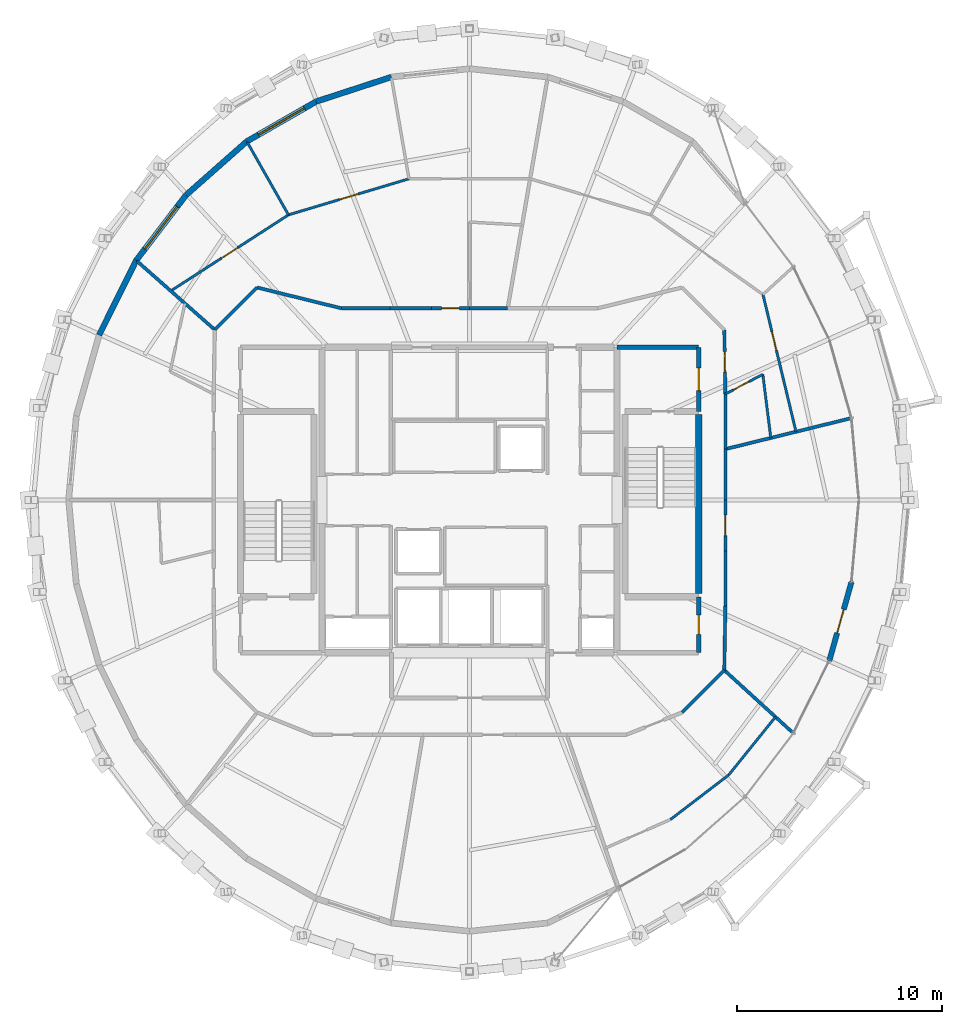
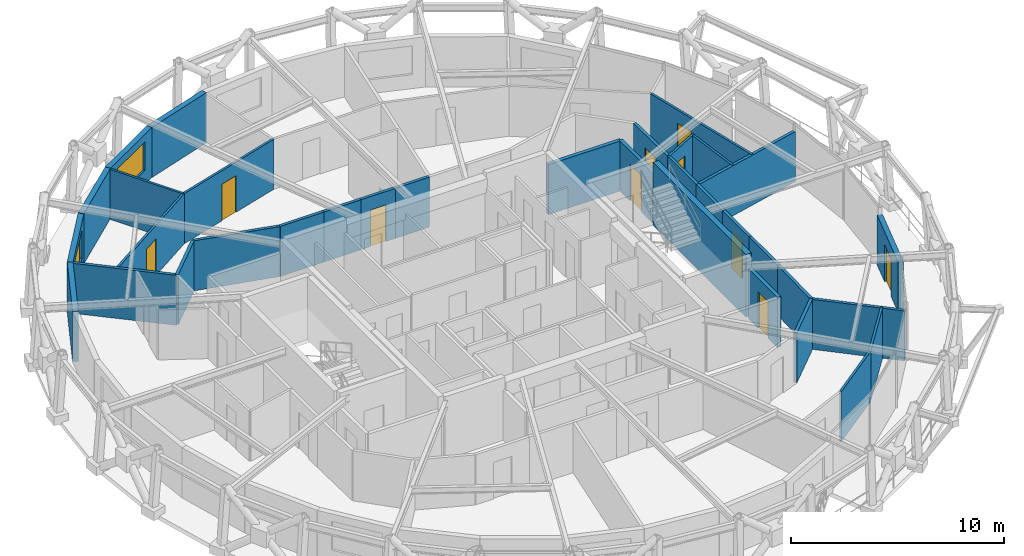
# One storey, part 13 of 15: 34 walls, 10 doors, 2 windows, 12 openings.
"""IFC4 building model written with IfcOpenShell, lengths in metres."""

from ifc_helpers import new_model, si_unit, direction, frame, frame_2d, origin, place, context, subcontext, project, spatial, rectangle, extrude, material, layer, layer_set, type_object, element, fill, save


model = new_model("IFC4")

# Units and contexts
model_context = context("Model", 3, precision=1e-05, world=origin(), true_north=direction((0.0, 1.0)))
body_context = subcontext(model_context, "Body", "Model", "MODEL_VIEW")
ifc_project = project(units=[si_unit("LENGTHUNIT", "METRE"), si_unit("AREAUNIT", "SQUARE_METRE"), si_unit("VOLUMEUNIT", "CUBIC_METRE"), si_unit("PLANEANGLEUNIT", "RADIAN"), si_unit("MASSUNIT", "GRAM", prefix="KILO")], contexts=[model_context])

# Site, building, storey
site_placement = place(None, origin())
site = spatial("IfcSite", under=ifc_project, at=site_placement, CompositionType="ELEMENT")
building_placement = place(site_placement, origin())
building = spatial("IfcBuilding", under=site, at=building_placement, Name="Veldorina Hangang Commons", CompositionType="ELEMENT")
storey_placement = place(building_placement, frame((0.0, 0.0, 268.800048828125)))
storey = spatial("IfcBuildingStorey", under=building, at=storey_placement, Name="L70", CompositionType="ELEMENT", Elevation=268.800048828125)

# Wall, opening, door
ifc_material_1 = material(Name="Stone Roman Travertine", Category="masonry")
ifc_layer_1 = layer(ifc_material_1, 0.260009765625)
ifc_layer_set_1 = layer_set([ifc_layer_1], Name="Stone Roman Travertine")
wall_type_1 = type_object("IfcWallType", Name="EW-LOGGIA-260", PredefinedType="STANDARD", material=ifc_layer_set_1)
wall_1_placement = place(storey_placement, frame((49.55078125, 16.163818359375, 0.0), z_axis=(0.0, 0.0, 1.0), x_axis=(0.270905028763, 0.962606080072, 0.0)))
wall_1 = element("IfcWall", 1, at=wall_1_placement, inside=storey, type_object=wall_type_1, Name="L70 sky-garden loggia portal wall 30", PredefinedType="STANDARD", context=body_context, shape_type="SweptSolid", body=[
    extrude(rectangle(XDim=3.990478515625, YDim=0.260009765625, at=frame_2d((1.9951171875, 0.0))), origin(), (0.0, 0.0, 1.0), 2.8798828125),
])
opening_1_placement = place(wall_1_placement, frame((1.395263671875, 0.0, 0.0)))
opening_1 = element("IfcOpeningElement", 2, at=opening_1_placement, cuts=wall_1, Name="Opening BD-1200", PredefinedType="OPENING", context=body_context, shape_type="SweptSolid", body=[
    extrude(rectangle(XDim=1.199951171875, YDim=2.14990234375, at=frame_2d((0.60009765625, 1.074951171875))), frame((0.0, 0.14013671875, 0.0), z_axis=(0.0, -1.0, 0.0), x_axis=(1.0, 0.0, 0.0)), (0.0, 0.0, 1.0), 0.280029296875),
])
ifc_material_2 = material(Name="Glass Thermal Aluminium Frame", Category="aluminium")
door_type_1 = type_object("IfcDoorType", Name="DR-EXT-LOG1200", OperationType="SINGLE_SWING_LEFT", PredefinedType="DOOR", material=ifc_material_2)
door_1_placement = place(opening_1_placement, origin())
door_1 = element("IfcDoor", 3, at=door_1_placement, inside=storey, type_object=door_type_1, Name="L70 loggia glazed exterior door 30", OperationType="SINGLE_SWING_LEFT", OverallHeight=2.14990234375, OverallWidth=1.199951171875, PredefinedType="DOOR", context=body_context, shape_type="SweptSolid", body=[
    extrude(rectangle(XDim=1.199951171875, YDim=2.14990234375, at=frame_2d((0.60009765625, 1.074951171875))), frame((0.0, 0.02490234375, 0.0), z_axis=(0.0, -1.0, 0.0), x_axis=(1.0, 0.0, 0.0)), (0.0, 0.0, 1.0), 0.050048828125),
])
fill(opening_1, door_1)

# Wall
ifc_layer_2 = layer(ifc_material_1, 0.280029296875)
ifc_layer_set_2 = layer_set([ifc_layer_2], Name="Stone Roman Travertine")
wall_type_2 = type_object("IfcWallType", Name="EW-TRAV-280", PredefinedType="STANDARD", material=ifc_layer_set_2)
wall_2_placement = place(storey_placement, frame((28.184814453125, 44.6328125, 0.0), z_axis=(0.0, 0.0, 1.0), x_axis=(-0.950681997555, -0.310167276684, 0.0)))
element("IfcWall", 4, at=wall_2_placement, inside=storey, type_object=wall_type_2, Name="L70 travertine facade wall 09", PredefinedType="STANDARD", context=body_context, shape_type="SweptSolid", body=[
    extrude(rectangle(XDim=3.859375, YDim=0.280029296875, at=frame_2d((1.9296875, 0.0))), origin(), (0.0, 0.0, 1.0), 2.8798828125),
])

# Wall, opening, window
wall_3_placement = place(storey_placement, frame((24.515869140625, 43.435791015625, 0.0), z_axis=(0.0, 0.0, 1.0), x_axis=(-0.866911036779, -0.498462891608, 0.0)))
wall_3 = element("IfcWall", 5, at=wall_3_placement, inside=storey, type_object=wall_type_2, Name="L70 travertine facade wall 10", PredefinedType="STANDARD", context=body_context, shape_type="SweptSolid", body=[
    extrude(rectangle(XDim=3.900146484375, YDim=0.280029296875, at=frame_2d((1.9501953125, 0.0))), origin(), (0.0, 0.0, 1.0), 2.8798828125),
])
opening_2_placement = place(wall_3_placement, frame((0.650146484375, 0.0, 0.800048828125)))
opening_2 = element("IfcOpeningElement", 6, at=opening_2_placement, cuts=wall_3, Name="Opening W-02", PredefinedType="OPENING", context=body_context, shape_type="SweptSolid", body=[
    extrude(rectangle(XDim=2.60009765625, YDim=1.64990234375, at=frame_2d((1.300048828125, 0.824951171875))), frame((0.0, 0.14990234375, 0.0), z_axis=(0.0, -1.0, 0.0), x_axis=(1.0, 0.0, 0.0)), (0.0, 0.0, 1.0), 0.300048828125),
])
ifc_material_3 = material(Name="Glass Low-E Triple IGU", Category="glass")
window_type = type_object("IfcWindowType", Name="WIN-TWR-2600", PartitioningType="SINGLE_PANEL", PredefinedType="WINDOW", material=ifc_material_3)
window_1_placement = place(opening_2_placement, origin())
window_1 = element("IfcWindow", 7, at=window_1_placement, inside=storey, type_object=window_type, Name="L70 facade window 10", OverallHeight=1.64990234375, OverallWidth=2.60009765625, PartitioningType="SINGLE_PANEL", PredefinedType="WINDOW", context=body_context, shape_type="SweptSolid", body=[
    extrude(rectangle(XDim=2.60009765625, YDim=1.64990234375, at=frame_2d((1.300048828125, 0.824951171875))), frame((0.0, 0.030029296875, 0.0), z_axis=(0.0, -1.0, 0.0), x_axis=(1.0, 0.0, 0.0)), (0.0, 0.0, 1.0), 0.06005859375),
])
fill(opening_2, window_1)

# Wall
wall_4_placement = place(storey_placement, frame((21.134765625, 41.49169921875, 0.0), z_axis=(0.0, 0.0, 1.0), x_axis=(-0.749653985562, -0.661829964515, 0.0)))
element("IfcWall", 8, at=wall_4_placement, inside=storey, type_object=wall_type_2, Name="L70 travertine facade wall 11", PredefinedType="STANDARD", context=body_context, shape_type="SweptSolid", body=[
    extrude(rectangle(XDim=3.952880859375, YDim=0.280029296875, at=frame_2d((1.9765625, 0.0))), origin(), (0.0, 0.0, 1.0), 2.8798828125),
])

# Wall, opening, window
wall_5_placement = place(storey_placement, frame((18.17138671875, 38.87548828125, 0.0), z_axis=(0.0, 0.0, 1.0), x_axis=(-0.606584214855, -0.795019238942, 0.0)))
wall_5 = element("IfcWall", 9, at=wall_5_placement, inside=storey, type_object=wall_type_2, Name="L70 travertine facade wall 12", PredefinedType="STANDARD", context=body_context, shape_type="SweptSolid", body=[
    extrude(rectangle(XDim=4.010009765625, YDim=0.280029296875, at=frame_2d((2.0048828125, 0.0))), origin(), (0.0, 0.0, 1.0), 2.8798828125),
])
opening_3_placement = place(wall_5_placement, frame((0.704833984375, 0.0, 0.800048828125)))
opening_3 = element("IfcOpeningElement", 10, at=opening_3_placement, cuts=wall_5, Name="Opening W-02", PredefinedType="OPENING", context=body_context, shape_type="SweptSolid", body=[
    extrude(rectangle(XDim=2.60009765625, YDim=1.64990234375, at=frame_2d((1.300048828125, 0.824951171875))), frame((0.0, 0.14990234375, 0.0), z_axis=(0.0, -1.0, 0.0), x_axis=(1.0, 0.0, 0.0)), (0.0, 0.0, 1.0), 0.300048828125),
])
window_2_placement = place(opening_3_placement, origin())
window_2 = element("IfcWindow", 11, at=window_2_placement, inside=storey, type_object=window_type, Name="L70 facade window 12", OverallHeight=1.64990234375, OverallWidth=2.60009765625, PartitioningType="SINGLE_PANEL", PredefinedType="WINDOW", context=body_context, shape_type="SweptSolid", body=[
    extrude(rectangle(XDim=2.60009765625, YDim=1.64990234375, at=frame_2d((1.300048828125, 0.824951171875))), frame((0.0, 0.030029296875, 0.0), z_axis=(0.0, -1.0, 0.0), x_axis=(1.0, 0.0, 0.0)), (0.0, 0.0, 1.0), 0.06005859375),
])
fill(opening_3, window_2)

# Walls
wall_6_placement = place(storey_placement, frame((15.739013671875, 35.6875, 0.0), z_axis=(0.0, 0.0, 1.0), x_axis=(-0.444975896213, -0.895542546052, 0.0)))
element("IfcWall", 12, at=wall_6_placement, inside=storey, type_object=wall_type_2, Name="L70 travertine facade wall 13", PredefinedType="STANDARD", context=body_context, shape_type="SweptSolid", body=[
    extrude(rectangle(XDim=4.061279296875, YDim=0.280029296875, at=frame_2d((2.03076171875, 0.0))), origin(), (0.0, 0.0, 1.0), 2.8798828125),
])
ifc_material_4 = material(Name="Concrete C50/60", Category="concrete")
ifc_layer_3 = layer(ifc_material_4, 0.300048828125)
ifc_layer_set_3 = layer_set([ifc_layer_3], Name="Concrete C50/60")
wall_type_3 = type_object("IfcWallType", Name="SW-STAIR-300", PredefinedType="SHEAR", material=ifc_layer_set_3)
wall_7_placement = place(storey_placement, frame((43.179931640625, 19.429931640625, 0.0), z_axis=(0.0, 0.0, 1.0), x_axis=(0.0, 1.0, 0.0)))
element("IfcWall", 13, at=wall_7_placement, inside=storey, type_object=wall_type_3, Name="L70 ST2 outer stair shear wall", PredefinedType="SHEAR", context=body_context, shape_type="SweptSolid", body=[
    extrude(rectangle(XDim=8.739990234375, YDim=0.300048828125, at=frame_2d((4.3701171875, 0.0))), origin(), (0.0, 0.0, 1.0), 3.599853515625),
])
ifc_material_5 = material(Name="Gypsum Fire-Rated Twin Stud Wall", Category="gypsum")
ifc_layer_4 = layer(ifc_material_5, 0.159912109375)
ifc_layer_set_4 = layer_set([ifc_layer_4], Name="Gypsum Fire-Rated Twin Stud Wall")
wall_type_4 = type_object("IfcWallType", Name="WL-FIRE-160", PredefinedType="SOLIDWALL", material=ifc_layer_set_4)
wall_8_placement = place(storey_placement, frame((44.47998046875, 24.0, 0.0), z_axis=(0.0, 0.0, 1.0), x_axis=(0.0, 1.0, 0.0)))
element("IfcWall", 14, at=wall_8_placement, inside=storey, type_object=wall_type_4, Name="L70 Compact collar outer wall 00 056", PredefinedType="SOLIDWALL", context=body_context, shape_type="SweptSolid", body=[
    extrude(rectangle(XDim=2.482421875, YDim=0.159912109375, at=frame_2d((1.2412109375, 0.0))), origin(), (0.0, 0.0, 1.0), 2.869873046875),
])
wall_9_placement = place(storey_placement, frame((44.47998046875, 26.482421875, 0.0), z_axis=(0.0, 0.0, 1.0), x_axis=(0.0, 1.0, 0.0)))
element("IfcWall", 15, at=wall_9_placement, inside=storey, type_object=wall_type_4, Name="L70 Compact collar outer wall 01 057", PredefinedType="SOLIDWALL", context=body_context, shape_type="SweptSolid", body=[
    extrude(rectangle(XDim=2.68701171875, YDim=0.159912109375, at=frame_2d((1.343505859375, 0.0))), origin(), (0.0, 0.0, 1.0), 2.869873046875),
])

# Wall, opening, door
wall_10_placement = place(storey_placement, frame((44.47998046875, 29.16943359375, 0.0), z_axis=(0.0, 0.0, 1.0), x_axis=(-0.016981035134, 0.999855811828, 0.0)))
wall_10 = element("IfcWall", 16, at=wall_10_placement, inside=storey, type_object=wall_type_4, Name="L70 Compact collar outer wall 02 058", PredefinedType="SOLIDWALL", context=body_context, shape_type="SweptSolid", body=[
    extrude(rectangle(XDim=3.13427734375, YDim=0.159912109375, at=frame_2d((1.567138671875, 0.0))), origin(), (0.0, 0.0, 1.0), 2.869873046875),
])
opening_4_placement = place(wall_10_placement, frame((1.067138671875, 0.0, 0.0)))
opening_4 = element("IfcOpeningElement", 17, at=opening_4_placement, cuts=wall_10, Name="Opening D-06", PredefinedType="OPENING", context=body_context, shape_type="SweptSolid", body=[
    extrude(rectangle(XDim=1.0, YDim=2.10009765625, at=frame_2d((0.5, 1.050048828125))), frame((0.0, 0.08984375, 0.0), z_axis=(0.0, -1.0, 0.0), x_axis=(1.0, 0.0, 0.0)), (0.0, 0.0, 1.0), 0.179931640625),
])
ifc_material_6 = material(Name="Timber Fire-Rated Entrance Core", Category="wood")
door_type_2 = type_object("IfcDoorType", Name="DR-UNIT-1000", OperationType="SINGLE_SWING_LEFT", PredefinedType="DOOR", material=ifc_material_6)
door_2_placement = place(opening_4_placement, origin())
door_2 = element("IfcDoor", 18, at=door_2_placement, inside=storey, type_object=door_type_2, Name="L70 Cluster 2 entrance door 028", OperationType="SINGLE_SWING_RIGHT", OverallHeight=2.10009765625, OverallWidth=1.0, PredefinedType="DOOR", context=body_context, shape_type="SweptSolid", body=[
    extrude(rectangle(XDim=1.0, YDim=2.10009765625, at=frame_2d((0.5, 1.050048828125))), frame((0.0, 0.02490234375, 0.0), z_axis=(0.0, -1.0, 0.0), x_axis=(1.0, 0.0, 0.0)), (0.0, 0.0, 1.0), 0.050048828125),
])
fill(opening_4, door_2)

# Wall
wall_11_placement = place(storey_placement, frame((33.85986328125, 33.35009765625, 0.0), z_axis=(0.0, 0.0, 1.0), x_axis=(-1.0, 0.0, 0.0)))
element("IfcWall", 19, at=wall_11_placement, inside=storey, type_object=wall_type_4, Name="L70 Compact collar outer wall 07 063", PredefinedType="SOLIDWALL", context=body_context, shape_type="SweptSolid", body=[
    extrude(rectangle(XDim=1.85986328125, YDim=0.159912109375, at=frame_2d((0.929931640625, 0.0))), origin(), (0.0, 0.0, 1.0), 2.869873046875),
])

# Wall, opening, door
wall_12_placement = place(storey_placement, frame((32.0, 33.35009765625, 0.0), z_axis=(0.0, 0.0, 1.0), x_axis=(-1.0, 0.0, 0.0)))
wall_12 = element("IfcWall", 20, at=wall_12_placement, inside=storey, type_object=wall_type_4, Name="L70 Compact collar outer wall 08 064", PredefinedType="SOLIDWALL", context=body_context, shape_type="SweptSolid", body=[
    extrude(rectangle(XDim=1.85986328125, YDim=0.159912109375, at=frame_2d((0.929931640625, 0.0))), origin(), (0.0, 0.0, 1.0), 2.869873046875),
])
opening_5_placement = place(wall_12_placement, frame((0.5, 0.0, 0.0)))
opening_5 = element("IfcOpeningElement", 21, at=opening_5_placement, cuts=wall_12, Name="Opening D-01N", PredefinedType="OPENING", context=body_context, shape_type="SweptSolid", body=[
    extrude(rectangle(XDim=0.860107421875, YDim=2.10009765625, at=frame_2d((0.43017578125, 1.050048828125))), frame((0.0, 0.08984375, 0.0), z_axis=(0.0, -1.0, 0.0), x_axis=(1.0, 0.0, 0.0)), (0.0, 0.0, 1.0), 0.179931640625),
])
ifc_material_7 = material(Name="Timber Fire-Rated Core", Category="wood")
door_type_3 = type_object("IfcDoorType", Name="DR-INT-860", OperationType="SINGLE_SWING_LEFT", PredefinedType="DOOR", material=ifc_material_7)
door_3_placement = place(opening_5_placement, origin())
door_3 = element("IfcDoor", 22, at=door_3_placement, inside=storey, type_object=door_type_3, Name="L70 Cluster 3 entrance door 033", OperationType="SINGLE_SWING_LEFT", OverallHeight=2.10009765625, OverallWidth=0.860107421875, PredefinedType="DOOR", context=body_context, shape_type="SweptSolid", body=[
    extrude(rectangle(XDim=0.860107421875, YDim=2.10009765625, at=frame_2d((0.43017578125, 1.050048828125))), frame((0.0, 0.02490234375, 0.0), z_axis=(0.0, -1.0, 0.0), x_axis=(1.0, 0.0, 0.0)), (0.0, 0.0, 1.0), 0.050048828125),
])
fill(opening_5, door_3)

# Walls
wall_13_placement = place(storey_placement, frame((30.14013671875, 33.35009765625, 0.0), z_axis=(0.0, 0.0, 1.0), x_axis=(-1.0, 0.0, 0.0)))
element("IfcWall", 23, at=wall_13_placement, inside=storey, type_object=wall_type_4, Name="L70 Compact collar outer wall 09 065", PredefinedType="SOLIDWALL", context=body_context, shape_type="SweptSolid", body=[
    extrude(rectangle(XDim=2.012939453125, YDim=0.159912109375, at=frame_2d((1.00634765625, 0.0))), origin(), (0.0, 0.0, 1.0), 2.869873046875),
])
wall_14_placement = place(storey_placement, frame((28.127197265625, 33.35009765625, 0.0), z_axis=(0.0, 0.0, 1.0), x_axis=(-1.0, 0.0, 0.0)))
element("IfcWall", 24, at=wall_14_placement, inside=storey, type_object=wall_type_4, Name="L70 Compact collar outer wall 10 066", PredefinedType="SOLIDWALL", context=body_context, shape_type="SweptSolid", body=[
    extrude(rectangle(XDim=2.374755859375, YDim=0.159912109375, at=frame_2d((1.1875, 0.0))), origin(), (0.0, 0.0, 1.0), 2.869873046875),
])
wall_15_placement = place(storey_placement, frame((25.75244140625, 33.35009765625, 0.0), z_axis=(0.0, 0.0, 1.0), x_axis=(-0.970939799552, 0.239323850978, 0.0)))
element("IfcWall", 25, at=wall_15_placement, inside=storey, type_object=wall_type_4, Name="L70 Compact collar outer wall 11 067", PredefinedType="SOLIDWALL", context=body_context, shape_type="SweptSolid", body=[
    extrude(rectangle(XDim=4.24072265625, YDim=0.159912109375, at=frame_2d((2.120361328125, 0.0))), origin(), (0.0, 0.0, 1.0), 2.869873046875),
])
for number, where, z_axis, x_axis, name in (
    (26, (21.635009765625, 34.364990234375, 0.0), (0.0, 0.0, 1.0), (-0.707106781187, -0.707106781187, 0.0), "L70 Compact collar outer wall 12 068"),
    (27, (42.364990234375, 13.635009765625, 0.0), (0.0, 0.0, 1.0), (0.707106781187, 0.707106781187, 0.0), "L70 Compact collar outer wall 28 084"),
):
    element("IfcWall", number, at=place(storey_placement, frame(where, z_axis=z_axis, x_axis=x_axis)), inside=storey, type_object=wall_type_4, Name=name, PredefinedType="SOLIDWALL", context=body_context, shape_type="SweptSolid", body=[
        extrude(rectangle(XDim=2.915771484375, YDim=0.159912109375, at=frame_2d((1.4580078125, 0.0))), origin(), (0.0, 0.0, 1.0), 2.869873046875),
    ])
wall_16_placement = place(storey_placement, frame((44.4267578125, 15.69677734375, 0.0), z_axis=(0.0, 0.0, 1.0), x_axis=(0.016981035134, 0.999855811828, 0.0)))
element("IfcWall", 28, at=wall_16_placement, inside=storey, type_object=wall_type_4, Name="L70 Compact collar outer wall 29 085", PredefinedType="SOLIDWALL", context=body_context, shape_type="SweptSolid", body=[
    extrude(rectangle(XDim=3.13427734375, YDim=0.159912109375, at=frame_2d((1.567138671875, 0.0))), origin(), (0.0, 0.0, 1.0), 2.869873046875),
])
wall_17_placement = place(storey_placement, frame((44.47998046875, 18.83056640625, 0.0), z_axis=(0.0, 0.0, 1.0), x_axis=(0.0, 1.0, 0.0)))
element("IfcWall", 29, at=wall_17_placement, inside=storey, type_object=wall_type_4, Name="L70 Compact collar outer wall 30 086", PredefinedType="SOLIDWALL", context=body_context, shape_type="SweptSolid", body=[
    extrude(rectangle(XDim=2.68701171875, YDim=0.159912109375, at=frame_2d((1.343505859375, 0.0))), origin(), (0.0, 0.0, 1.0), 2.869873046875),
])

# Wall, opening, door
wall_18_placement = place(storey_placement, frame((44.47998046875, 21.517578125, 0.0), z_axis=(0.0, 0.0, 1.0), x_axis=(0.0, 1.0, 0.0)))
wall_18 = element("IfcWall", 30, at=wall_18_placement, inside=storey, type_object=wall_type_4, Name="L70 Compact collar outer wall 31 087", PredefinedType="SOLIDWALL", context=body_context, shape_type="SweptSolid", body=[
    extrude(rectangle(XDim=2.482421875, YDim=0.159912109375, at=frame_2d((1.2412109375, 0.0))), origin(), (0.0, 0.0, 1.0), 2.869873046875),
])
opening_6_placement = place(wall_18_placement, frame((0.7412109375, 0.0, 0.0)))
opening_6 = element("IfcOpeningElement", 31, at=opening_6_placement, cuts=wall_18, Name="Opening D-05", PredefinedType="OPENING", context=body_context, shape_type="SweptSolid", body=[
    extrude(rectangle(XDim=1.0, YDim=2.10009765625, at=frame_2d((0.5, 1.050048828125))), frame((0.0, 0.08984375, 0.0), z_axis=(0.0, -1.0, 0.0), x_axis=(1.0, 0.0, 0.0)), (0.0, 0.0, 1.0), 0.179931640625),
])
ifc_material_8 = material(Name="Timber Solid Core Acoustic", Category="wood")
door_type_4 = type_object("IfcDoorType", Name="DR-INT-1000", OperationType="SINGLE_SWING_RIGHT", PredefinedType="DOOR", material=ifc_material_8)
door_4_placement = place(opening_6_placement, origin())
door_4 = element("IfcDoor", 32, at=door_4_placement, inside=storey, type_object=door_type_4, Name="L70 Sky-Garden Commons Lounge door 026", OperationType="SINGLE_SWING_RIGHT", OverallHeight=2.10009765625, OverallWidth=1.0, PredefinedType="DOOR", context=body_context, shape_type="SweptSolid", body=[
    extrude(rectangle(XDim=1.0, YDim=2.10009765625, at=frame_2d((0.5, 1.050048828125))), frame((0.0, 0.02490234375, 0.0), z_axis=(0.0, -1.0, 0.0), x_axis=(1.0, 0.0, 0.0)), (0.0, 0.0, 1.0), 0.050048828125),
])
fill(opening_6, door_4)

# Walls
wall_19_placement = place(storey_placement, frame((44.4267578125, 15.69677734375, 0.0), z_axis=(0.0, 0.0, 1.0), x_axis=(0.73873859701, -0.673992051354, 0.0)))
element("IfcWall", 33, at=wall_19_placement, inside=storey, type_object=wall_type_4, Name="L70 Unit party wall 29 088", PredefinedType="SOLIDWALL", context=body_context, shape_type="SweptSolid", body=[
    extrude(rectangle(XDim=4.509765625, YDim=0.159912109375, at=frame_2d((2.2548828125, 0.0))), origin(), (0.0, 0.0, 1.0), 2.869873046875),
])
wall_20_placement = place(storey_placement, frame((44.47998046875, 26.482421875, 0.0), z_axis=(0.0, 0.0, 1.0), x_axis=(0.971083357224, 0.238740682167, 0.0)))
element("IfcWall", 34, at=wall_20_placement, inside=storey, type_object=wall_type_4, Name="L70 Unit party wall 01 089", PredefinedType="SOLIDWALL", context=body_context, shape_type="SweptSolid", body=[
    extrude(rectangle(XDim=6.284912109375, YDim=0.159912109375, at=frame_2d((3.142578125, 0.0))), origin(), (0.0, 0.0, 1.0), 2.869873046875),
])
wall_21_placement = place(storey_placement, frame((19.5732421875, 32.30322265625, 0.0), z_axis=(0.0, 0.0, 1.0), x_axis=(-0.749729511221, 0.661744406856, 0.0)))
element("IfcWall", 35, at=wall_21_placement, inside=storey, type_object=wall_type_4, Name="L70 Unit party wall 13 105", PredefinedType="SOLIDWALL", context=body_context, shape_type="SweptSolid", body=[
    extrude(rectangle(XDim=5.06396484375, YDim=0.159912109375, at=frame_2d((2.531982421875, 0.0))), origin(), (0.0, 0.0, 1.0), 2.869873046875),
])

# Wall, opening, door
ifc_material_9 = material(Name="Concrete Blockwork Fire Wall C30/37", Category="masonry")
ifc_layer_5 = layer(ifc_material_9, 0.199951171875)
ifc_layer_set_5 = layer_set([ifc_layer_5], Name="Concrete Blockwork Fire Wall C30/37")
wall_type_5 = type_object("IfcWallType", Name="WL-FIRE-200", PredefinedType="SOLIDWALL", material=ifc_layer_set_5)
wall_22_placement = place(storey_placement, frame((43.179931640625, 28.320068359375, 0.0), z_axis=(0.0, 0.0, 1.0), x_axis=(0.0, 1.0, 0.0)))
wall_22 = element("IfcWall", 36, at=wall_22_placement, inside=storey, type_object=wall_type_5, Name="L70 East vestibule outer wall 003", PredefinedType="SOLIDWALL", context=body_context, shape_type="SweptSolid", body=[
    extrude(rectangle(XDim=3.1298828125, YDim=0.199951171875, at=frame_2d((1.56494140625, 0.0))), origin(), (0.0, 0.0, 1.0), 2.869873046875),
])
opening_7_placement = place(wall_22_placement, frame((1.014892578125, 0.0, 0.0)))
opening_7 = element("IfcOpeningElement", 37, at=opening_7_placement, cuts=wall_22, Name="Opening D-08", PredefinedType="OPENING", context=body_context, shape_type="SweptSolid", body=[
    extrude(rectangle(XDim=1.10009765625, YDim=2.10009765625, at=frame_2d((0.550048828125, 1.050048828125))), frame((0.0, 0.10986328125, 0.0), z_axis=(0.0, -1.0, 0.0), x_axis=(1.0, 0.0, 0.0)), (0.0, 0.0, 1.0), 0.219970703125),
])
ifc_material_10 = material(Name="Steel Fire-Rated Smoke Seal", Category="steel")
door_type_5 = type_object("IfcDoorType", Name="DR-FIRE-1100", OperationType="SINGLE_SWING_RIGHT", PredefinedType="DOOR", material=ifc_material_10)
door_5_placement = place(opening_7_placement, origin())
door_5 = element("IfcDoor", 38, at=door_5_placement, inside=storey, type_object=door_type_5, Name="L70 East vestibule east door 002", OperationType="SINGLE_SWING_RIGHT", OverallHeight=2.10009765625, OverallWidth=1.10009765625, PredefinedType="DOOR", context=body_context, shape_type="SweptSolid", body=[
    extrude(rectangle(XDim=1.10009765625, YDim=2.10009765625, at=frame_2d((0.550048828125, 1.050048828125))), frame((0.0, 0.02490234375, 0.0), z_axis=(0.0, -1.0, 0.0), x_axis=(1.0, 0.0, 0.0)), (0.0, 0.0, 1.0), 0.050048828125),
])
fill(opening_7, door_5)

# Wall
wall_23_placement = place(storey_placement, frame((39.199951171875, 31.449951171875, 0.0), z_axis=(0.0, 0.0, 1.0), x_axis=(1.0, 0.0, 0.0)))
element("IfcWall", 39, at=wall_23_placement, inside=storey, type_object=wall_type_5, Name="L70 East vestibule north wall 004", PredefinedType="SOLIDWALL", context=body_context, shape_type="SweptSolid", body=[
    extrude(rectangle(XDim=3.97998046875, YDim=0.199951171875, at=frame_2d((1.989990234375, 0.0))), origin(), (0.0, 0.0, 1.0), 2.869873046875),
])

# Wall, opening, door
wall_24_placement = place(storey_placement, frame((43.179931640625, 16.550048828125, 0.0), z_axis=(0.0, 0.0, 1.0), x_axis=(0.0, 1.0, 0.0)))
wall_24 = element("IfcWall", 40, at=wall_24_placement, inside=storey, type_object=wall_type_5, Name="L70 SE core room outer wall 007", PredefinedType="SOLIDWALL", context=body_context, shape_type="SweptSolid", body=[
    extrude(rectangle(XDim=2.72998046875, YDim=0.199951171875, at=frame_2d((1.364990234375, 0.0))), origin(), (0.0, 0.0, 1.0), 2.869873046875),
])
opening_8_placement = place(wall_24_placement, frame((0.889892578125, 0.0, 0.0)))
opening_8 = element("IfcOpeningElement", 41, at=opening_8_placement, cuts=wall_24, Name="Opening D-02", PredefinedType="OPENING", context=body_context, shape_type="SweptSolid", body=[
    extrude(rectangle(XDim=0.949951171875, YDim=2.10009765625, at=frame_2d((0.47509765625, 1.050048828125))), frame((0.0, 0.10986328125, 0.0), z_axis=(0.0, -1.0, 0.0), x_axis=(1.0, 0.0, 0.0)), (0.0, 0.0, 1.0), 0.219970703125),
])
door_type_6 = type_object("IfcDoorType", Name="DR-INT-950", OperationType="SINGLE_SWING_LEFT", PredefinedType="DOOR", material=ifc_material_8)
door_6_placement = place(opening_8_placement, origin())
door_6 = element("IfcDoor", 42, at=door_6_placement, inside=storey, type_object=door_type_6, Name="L70 SE core WC door 004", OperationType="SINGLE_SWING_RIGHT", OverallHeight=2.10009765625, OverallWidth=0.949951171875, PredefinedType="DOOR", context=body_context, shape_type="SweptSolid", body=[
    extrude(rectangle(XDim=0.949951171875, YDim=2.10009765625, at=frame_2d((0.47509765625, 1.050048828125))), frame((0.0, 0.02490234375, 0.0), z_axis=(0.0, -1.0, 0.0), x_axis=(1.0, 0.0, 0.0)), (0.0, 0.0, 1.0), 0.050048828125),
])
fill(opening_8, door_6)

# Wall
ifc_material_11 = material(Name="Gypsum Acoustic Stud Partition", Category="gypsum")
ifc_layer_6 = layer(ifc_material_11, 0.1201171875)
ifc_layer_set_6 = layer_set([ifc_layer_6], Name="Gypsum Acoustic Stud Partition")
wall_type_6 = type_object("IfcWallType", Name="WL-PART-120", PredefinedType="PARTITIONING", material=ifc_layer_set_6)
wall_25_placement = place(storey_placement, frame((46.694580078125, 27.02685546875, 0.0), z_axis=(0.0, 0.0, 1.0), x_axis=(-0.124457549866, 0.99222493331, 0.0)))
element("IfcWall", 43, at=wall_25_placement, inside=storey, type_object=wall_type_6, Name="L70 Cluster 2 bath front wall 090", PredefinedType="PARTITIONING", context=body_context, shape_type="SweptSolid", body=[
    extrude(rectangle(XDim=3.126953125, YDim=0.1201171875, at=frame_2d((1.5634765625, 0.0))), origin(), (0.0, 0.0, 1.0), 2.869873046875),
])

# Wall, opening, door
wall_26_placement = place(storey_placement, frame((44.47998046875, 29.16943359375, 0.0), z_axis=(0.0, 0.0, 1.0), x_axis=(0.885077371256, 0.465443924539, 0.0)))
wall_26 = element("IfcWall", 44, at=wall_26_placement, inside=storey, type_object=wall_type_6, Name="L70 Cluster 2 bath side wall 091", PredefinedType="PARTITIONING", context=body_context, shape_type="SweptSolid", body=[
    extrude(rectangle(XDim=2.0625, YDim=0.1201171875, at=frame_2d((1.03125, 0.0))), origin(), (0.0, 0.0, 1.0), 2.869873046875),
])
opening_9_placement = place(wall_26_placement, frame((0.43994140625, 0.0, 0.0)))
opening_9 = element("IfcOpeningElement", 45, at=opening_9_placement, cuts=wall_26, Name="Opening D-01", PredefinedType="OPENING", context=body_context, shape_type="SweptSolid", body=[
    extrude(rectangle(XDim=0.860107421875, YDim=2.10009765625, at=frame_2d((0.43017578125, 1.050048828125))), frame((0.0, 0.070068359375, 0.0), z_axis=(0.0, -1.0, 0.0), x_axis=(1.0, 0.0, 0.0)), (0.0, 0.0, 1.0), 0.14013671875),
])
ifc_material_12 = material(Name="Timber Moisture-Resistant Core", Category="wood")
door_type_7 = type_object("IfcDoorType", Name="DR-WET-860", OperationType="SINGLE_SWING_LEFT", PredefinedType="DOOR", material=ifc_material_12)
door_7_placement = place(opening_9_placement, origin())
door_7 = element("IfcDoor", 46, at=door_7_placement, inside=storey, type_object=door_type_7, Name="L70 Cluster 2 shared bathroom door 027", OperationType="SINGLE_SWING_LEFT", OverallHeight=2.10009765625, OverallWidth=0.860107421875, PredefinedType="DOOR", context=body_context, shape_type="SweptSolid", body=[
    extrude(rectangle(XDim=0.860107421875, YDim=2.10009765625, at=frame_2d((0.43017578125, 1.050048828125))), frame((0.0, 0.02490234375, 0.0), z_axis=(0.0, -1.0, 0.0), x_axis=(1.0, 0.0, 0.0)), (0.0, 0.0, 1.0), 0.050048828125),
])
fill(opening_9, door_7)

wall_27_placement = place(storey_placement, frame((47.925048828125, 27.329345703125, 0.0), z_axis=(0.0, 0.0, 1.0), x_axis=(-0.234101002683, 0.972212281625, 0.0)))
wall_27 = element("IfcWall", 47, at=wall_27_placement, inside=storey, type_object=wall_type_6, Name="L70 Cluster 2 bed 1 front wall 092", PredefinedType="PARTITIONING", context=body_context, shape_type="SweptSolid", body=[
    extrude(rectangle(XDim=6.88623046875, YDim=0.1201171875, at=frame_2d((3.443115234375, 0.0))), origin(), (0.0, 0.0, 1.0), 2.869873046875),
])
opening_10_placement = place(wall_27_placement, frame((4.080322265625, 0.0, 0.0)))
opening_10 = element("IfcOpeningElement", 48, at=opening_10_placement, cuts=wall_27, Name="Opening D-02", PredefinedType="OPENING", context=body_context, shape_type="SweptSolid", body=[
    extrude(rectangle(XDim=0.949951171875, YDim=2.10009765625, at=frame_2d((0.47509765625, 1.050048828125))), frame((0.0, 0.070068359375, 0.0), z_axis=(0.0, -1.0, 0.0), x_axis=(1.0, 0.0, 0.0)), (0.0, 0.0, 1.0), 0.14013671875),
])
door_8_placement = place(opening_10_placement, origin())
door_8 = element("IfcDoor", 49, at=door_8_placement, inside=storey, type_object=door_type_6, Name="L70 Cluster 2 bed 1 door 029", OperationType="SINGLE_SWING_LEFT", OverallHeight=2.10009765625, OverallWidth=0.949951171875, PredefinedType="DOOR", context=body_context, shape_type="SweptSolid", body=[
    extrude(rectangle(XDim=0.949951171875, YDim=2.10009765625, at=frame_2d((0.47509765625, 1.050048828125))), frame((0.0, 0.02490234375, 0.0), z_axis=(0.0, -1.0, 0.0), x_axis=(1.0, 0.0, 0.0)), (0.0, 0.0, 1.0), 0.050048828125),
])
fill(opening_10, door_8)

wall_28_placement = place(storey_placement, frame((29.045166015625, 39.66845703125, 0.0), z_axis=(0.0, 0.0, 1.0), x_axis=(-0.958019889786, -0.28670174533, 0.0)))
wall_28 = element("IfcWall", 50, at=wall_28_placement, inside=storey, type_object=wall_type_6, Name="L70 Cluster 3 bed 2 front wall 101", PredefinedType="PARTITIONING", context=body_context, shape_type="SweptSolid", body=[
    extrude(rectangle(XDim=6.13623046875, YDim=0.1201171875, at=frame_2d((3.068115234375, 0.0))), origin(), (0.0, 0.0, 1.0), 2.869873046875),
])
opening_11_placement = place(wall_28_placement, frame((2.593017578125, 0.0, 0.0)))
opening_11 = element("IfcOpeningElement", 51, at=opening_11_placement, cuts=wall_28, Name="Opening D-02", PredefinedType="OPENING", context=body_context, shape_type="SweptSolid", body=[
    extrude(rectangle(XDim=0.949951171875, YDim=2.10009765625, at=frame_2d((0.47509765625, 1.050048828125))), frame((0.0, 0.070068359375, 0.0), z_axis=(0.0, -1.0, 0.0), x_axis=(1.0, 0.0, 0.0)), (0.0, 0.0, 1.0), 0.14013671875),
])
door_9_placement = place(opening_11_placement, origin())
door_9 = element("IfcDoor", 52, at=door_9_placement, inside=storey, type_object=door_type_6, Name="L70 Cluster 3 bed 2 door 035", OperationType="SINGLE_SWING_LEFT", OverallHeight=2.10009765625, OverallWidth=0.949951171875, PredefinedType="DOOR", context=body_context, shape_type="SweptSolid", body=[
    extrude(rectangle(XDim=0.949951171875, YDim=2.10009765625, at=frame_2d((0.47509765625, 1.050048828125))), frame((0.0, 0.02490234375, 0.0), z_axis=(0.0, -1.0, 0.0), x_axis=(1.0, 0.0, 0.0)), (0.0, 0.0, 1.0), 0.050048828125),
])
fill(opening_11, door_9)

wall_29_placement = place(storey_placement, frame((23.16650390625, 37.9091796875, 0.0), z_axis=(0.0, 0.0, 1.0), x_axis=(-0.83981921831, -0.542866171866, 0.0)))
wall_29 = element("IfcWall", 53, at=wall_29_placement, inside=storey, type_object=wall_type_6, Name="L70 Cluster 3 bed 3 front wall 103", PredefinedType="PARTITIONING", context=body_context, shape_type="SweptSolid", body=[
    extrude(rectangle(XDim=6.83544921875, YDim=0.1201171875, at=frame_2d((3.417724609375, 0.0))), origin(), (0.0, 0.0, 1.0), 2.869873046875),
])
opening_12_placement = place(wall_29_placement, frame((2.942626953125, 0.0, 0.0)))
opening_12 = element("IfcOpeningElement", 54, at=opening_12_placement, cuts=wall_29, Name="Opening D-02", PredefinedType="OPENING", context=body_context, shape_type="SweptSolid", body=[
    extrude(rectangle(XDim=0.949951171875, YDim=2.10009765625, at=frame_2d((0.47509765625, 1.050048828125))), frame((0.0, 0.070068359375, 0.0), z_axis=(0.0, -1.0, 0.0), x_axis=(1.0, 0.0, 0.0)), (0.0, 0.0, 1.0), 0.14013671875),
])
door_10_placement = place(opening_12_placement, origin())
door_10 = element("IfcDoor", 55, at=door_10_placement, inside=storey, type_object=door_type_6, Name="L70 Cluster 3 bed 3 door 036", OperationType="SINGLE_SWING_RIGHT", OverallHeight=2.10009765625, OverallWidth=0.949951171875, PredefinedType="DOOR", context=body_context, shape_type="SweptSolid", body=[
    extrude(rectangle(XDim=0.949951171875, YDim=2.10009765625, at=frame_2d((0.47509765625, 1.050048828125))), frame((0.0, 0.02490234375, 0.0), z_axis=(0.0, -1.0, 0.0), x_axis=(1.0, 0.0, 0.0)), (0.0, 0.0, 1.0), 0.050048828125),
])
fill(opening_12, door_10)

# Walls
wall_30_placement = place(storey_placement, frame((23.16650390625, 37.9091796875, 0.0), z_axis=(0.0, 0.0, 1.0), x_axis=(-0.493338072586, 0.869837655047, 0.0)))
element("IfcWall", 56, at=wall_30_placement, inside=storey, type_object=wall_type_6, Name="L70 Cluster 3 bed divider 2 104", PredefinedType="PARTITIONING", context=body_context, shape_type="SweptSolid", body=[
    extrude(rectangle(XDim=4.068359375, YDim=0.1201171875, at=frame_2d((2.0341796875, 0.0))), origin(), (0.0, 0.0, 1.0), 2.869873046875),
])
wall_31_placement = place(storey_placement, frame((41.802978515625, 8.416259765625, 0.0), z_axis=(0.0, 0.0, 1.0), x_axis=(0.794435462841, 0.60734857815, 0.0)))
element("IfcWall", 57, at=wall_31_placement, inside=storey, type_object=wall_type_6, Name="L70 Laundry split 1 115", PredefinedType="PARTITIONING", context=body_context, shape_type="SweptSolid", body=[
    extrude(rectangle(XDim=3.5703125, YDim=0.1201171875, at=frame_2d((1.78515625, 0.0))), origin(), (0.0, 0.0, 1.0), 2.869873046875),
])
wall_32_placement = place(storey_placement, frame((44.639404296875, 10.584716796875, 0.0), z_axis=(0.0, 0.0, 1.0), x_axis=(0.627651500922, 0.77849444018, 0.0)))
element("IfcWall", 58, at=wall_32_placement, inside=storey, type_object=wall_type_6, Name="L70 Laundry split 2 116", PredefinedType="PARTITIONING", context=body_context, shape_type="SweptSolid", body=[
    extrude(rectangle(XDim=3.64013671875, YDim=0.1201171875, at=frame_2d((1.820068359375, 0.0))), origin(), (0.0, 0.0, 1.0), 2.869873046875),
])

save(model, "model.ifc")
